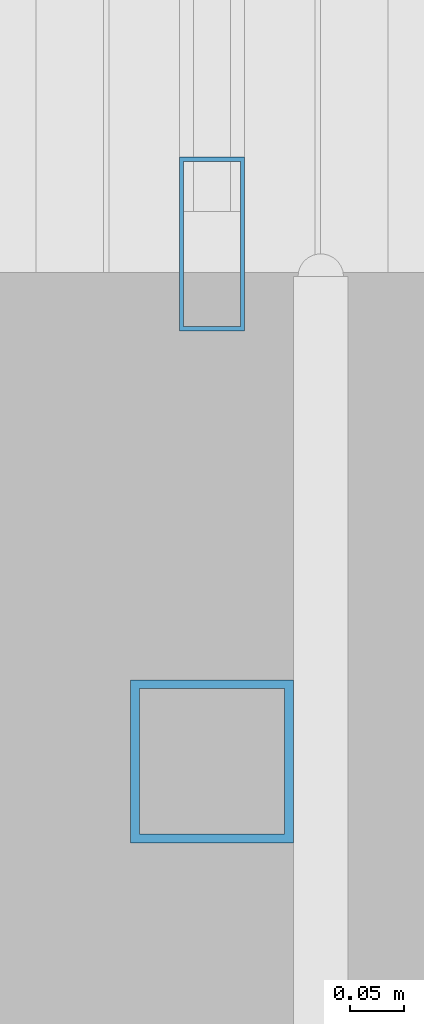
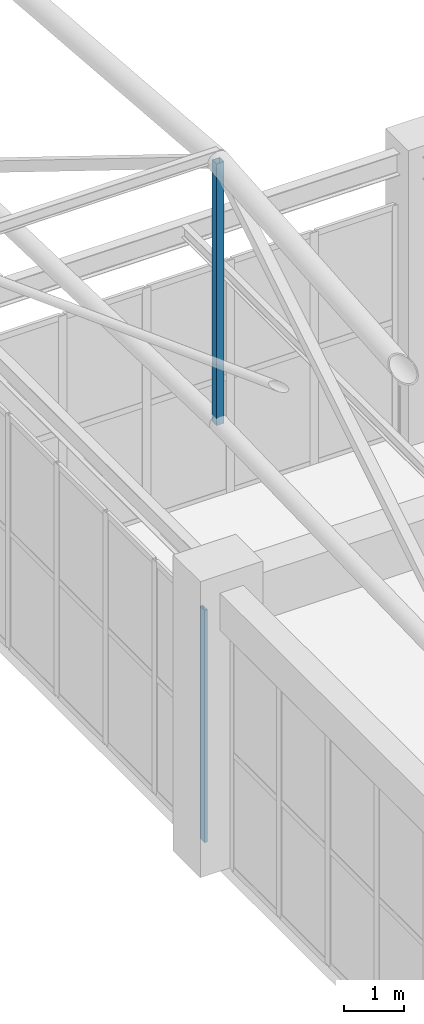
# One storey, part 145 of 223: 2 members, 1 element without a shape of its own.
"""IFC4 building model written with IfcOpenShell, lengths in metres."""

from ifc_helpers import new_model, si_unit, direction, frame, origin, origin_2d, place, context, subcontext, project, spatial, hollow_rectangle, extrude, material, layer, layer_set, material_profile, profile_set, type_object, element, aggregate, save


model = new_model("IFC4")

# Units and contexts
model_context = context("Model", 3, precision=1e-05, world=origin(), true_north=direction((0.0, 1.0)))
body_context = subcontext(model_context, "Body", "Model", "MODEL_VIEW")
ifc_project = project(units=[si_unit("LENGTHUNIT", "METRE"), si_unit("AREAUNIT", "SQUARE_METRE"), si_unit("VOLUMEUNIT", "CUBIC_METRE"), si_unit("PLANEANGLEUNIT", "RADIAN"), si_unit("MASSUNIT", "GRAM", prefix="KILO")], contexts=[model_context])

# Site, building, storey
site_placement = place(None, origin())
site = spatial("IfcSite", under=ifc_project, at=site_placement, CompositionType="ELEMENT")
building_placement = place(site_placement, origin())
building = spatial("IfcBuilding", under=site, at=building_placement, Name="Dornveld Trade and Exhibition Forum", CompositionType="ELEMENT")
storey_placement = place(building_placement, frame((0.0, 0.0, 6.0)))
storey = spatial("IfcBuildingStorey", under=building, at=storey_placement, Name="L01", CompositionType="ELEMENT", Elevation=6.0)

# Curtain wall, member
ifc_material_1 = material(Name="Dark-bronze anodised aluminium and low-E glass", Category="aluminium")
ifc_layer = layer(ifc_material_1, 0.180908203125)
ifc_layer_set = layer_set([ifc_layer], Name="Dark-bronze anodised aluminium and low-E glass")
curtain_wall_type = type_object("IfcCurtainWallType", Name="CW-SYS-13", PredefinedType="USERDEFINED", material=ifc_layer_set)
curtain_wall_placement = place(storey_placement, origin())
curtain_wall = element("IfcCurtainWall", 1, at=curtain_wall_placement, inside=storey, type_object=curtain_wall_type, Name="L01 unitised curtain wall 13", ObjectType="UNITISED_CURTAIN_WALL", PredefinedType="USERDEFINED")
ifc_material_2 = material(Name="Dark-bronze anodised aluminium", Category="aluminium")
ifc_material_profile_1 = material_profile(ifc_material_2, hollow_rectangle(XDim=0.06005859375, YDim=0.159912109375, WallThickness=0.00390625, at=origin_2d()), Name="RHS 160x60x4")
ifc_profile_set_1 = profile_set([ifc_material_profile_1], Name="Dark-bronze anodised aluminium")
member_type_1 = type_object("IfcMemberType", Name="CW-MUL-160", PredefinedType="MULLION", material=ifc_profile_set_1)
member_1_placement = place(storey_placement, frame((171.0, 135.47607421875, -0.00390625), z_axis=(0.0, 0.0, 1.0), x_axis=(-1.0, 0.0, 0.0)))
member_1 = element("IfcMember", 2, at=member_1_placement, type_object=member_type_1, Name="CW-13 mullion 1", PredefinedType="MULLION", context=body_context, shape_type="SweptSolid", body=[
    extrude(hollow_rectangle(XDim=0.06005859375, YDim=0.159912109375, WallThickness=0.00390625, at=origin_2d()), origin(), (0.0, 0.0, 1.0), 4.703857421875),
])
aggregate(curtain_wall, [member_1])

# Member
ifc_material_3 = material(Name="Steel S355J2", Category="steel")
ifc_material_profile_2 = material_profile(ifc_material_3, hollow_rectangle(XDim=0.14990234375, YDim=0.14990234375, WallThickness=0.008056640625, at=origin_2d()), Name="SHS 150x150x8")
ifc_profile_set_2 = profile_set([ifc_material_profile_2], Name="Steel S355J2")
member_type_2 = type_object("IfcMemberType", Name="MEM-ARCH-STR", PredefinedType="STRUT", material=ifc_profile_set_2)
member_2_placement = place(storey_placement, frame((171.0, 135.0, 8.75), z_axis=(0.0, 0.0, 1.0), x_axis=(1.0, 0.0, 0.0)))
element("IfcMember", 3, at=member_2_placement, inside=storey, type_object=member_type_2, Name="H1 truss 9 strut 4", PredefinedType="STRUT", context=body_context, shape_type="SweptSolid", body=[
    extrude(hollow_rectangle(XDim=0.14990234375, YDim=0.14990234375, WallThickness=0.008056640625, at=origin_2d()), origin(), (0.0, 0.0, 1.0), 5.300048828125),
])

save(model, "model.ifc")
